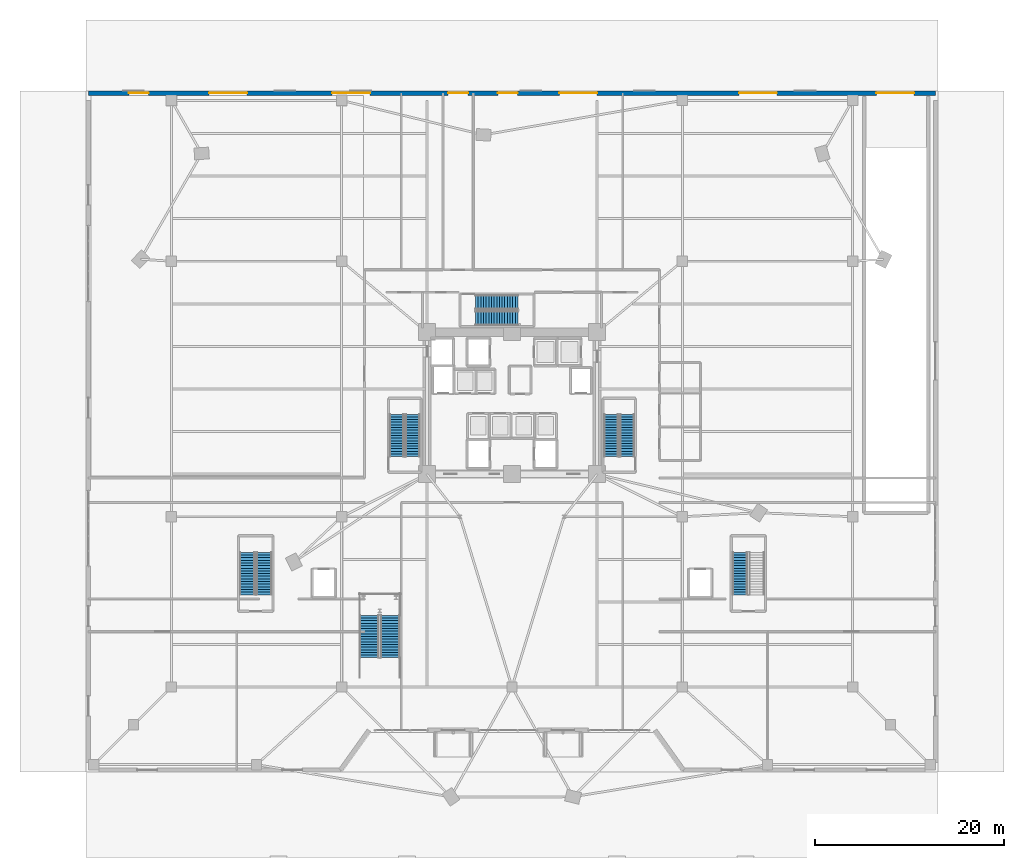
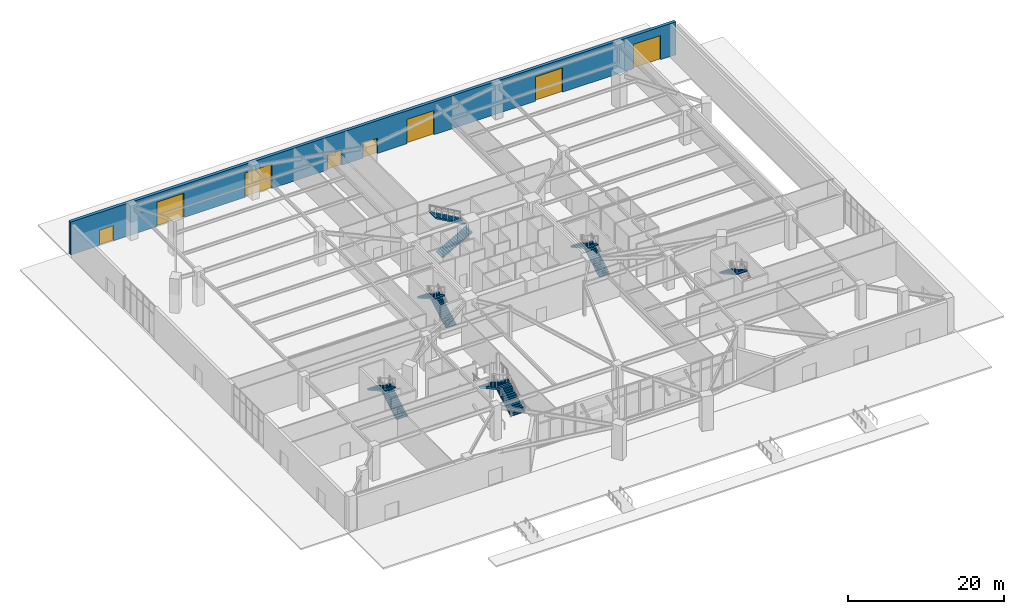
# One storey, part 22 of 30: 11 stair flights, 8 doors, 1 wall, 8 openings, 6 elements without a shape of their own.
"""IFC4 building model written with IfcOpenShell, lengths in metres."""

from ifc_helpers import new_model, si_unit, direction, frame, frame_2d, origin, place, context, subcontext, project, spatial, polyline, rectangle, outline, extrude, source, transform, mapped, material, layer, layer_set, type_object, element, fill, aggregate, save


model = new_model("IFC4")

# Units and contexts
model_context = context("Model", 3, precision=1e-05, world=origin(), true_north=direction((0.0, 1.0)))
body_context = subcontext(model_context, "Body", "Model", "MODEL_VIEW")
ifc_project = project(units=[si_unit("LENGTHUNIT", "METRE"), si_unit("AREAUNIT", "SQUARE_METRE"), si_unit("VOLUMEUNIT", "CUBIC_METRE"), si_unit("PLANEANGLEUNIT", "RADIAN"), si_unit("MASSUNIT", "GRAM", prefix="KILO")], contexts=[model_context])

# Site, building, storey
site_placement = place(None, origin())
site = spatial("IfcSite", under=ifc_project, at=site_placement, CompositionType="ELEMENT")
building_placement = place(site_placement, origin())
building = spatial("IfcBuilding", under=site, at=building_placement, Name="Liaohun Quay Tower", CompositionType="ELEMENT")
storey_placement = place(building_placement, origin())
storey = spatial("IfcBuildingStorey", under=building, at=storey_placement, Name="L01", CompositionType="ELEMENT", Elevation=0.0)

# Wall, openings, doors
ifc_material_1 = material(Name="Precast concrete C50 with granite facing", Category="masonry")
ifc_layer = layer(ifc_material_1, 0.4599609375, Name="Precast concrete C50 with granite facing", Category="masonry")
ifc_layer_set = layer_set([ifc_layer], Name="Precast concrete C50 with granite facing")
wall_type = type_object("IfcWallType", Name="WAL-EXT-POD", PredefinedType="SOLIDWALL", material=ifc_layer_set)
wall_placement = place(storey_placement, frame((104.77001953125, 86.77001953125, 0.0), z_axis=(0.0, 0.0, 1.0), x_axis=(-1.0, 0.0, 0.0)))
wall = element("IfcWall", 1, at=wall_placement, inside=storey, type_object=wall_type, Name="L01 Podium Precast Facade Wall 06", PredefinedType="SOLIDWALL", context=body_context, shape_type="SweptSolid", body=[
    extrude(rectangle(XDim=89.5400390625, YDim=0.4599609375, at=frame_2d((44.77001953125, 0.0))), origin(), (0.0, 0.0, 1.0), 5.14990234375),
])
shared_shape_1 = source(origin(), body_context, "Body", "SweptSolid", [
    extrude(rectangle(XDim=2.10009765625, YDim=2.39990234375, at=frame_2d((1.050048828125, 1.199951171875))), frame((0.0, 0.239990234375, 0.0), z_axis=(0.0, -1.0, 0.0), x_axis=(1.0, 0.0, 0.0)), (0.0, 0.0, 1.0), 0.47998046875),
])
opening_1_placement = place(wall_placement, frame((49.419921875, 0.0, 0.0)))
opening_1 = element("IfcOpeningElement", 2, at=opening_1_placement, cuts=wall, Name="Opening EX", PredefinedType="OPENING", context=body_context, shape_type="MappedRepresentation", body=[
    mapped(shared_shape_1, transform((0.0, 0.0, 0.0), x_axis=(1.0, 0.0, 0.0), y_axis=(0.0, 1.0, 0.0), z_axis=(0.0, 0.0, 1.0), scale=1.0)),
])
opening_2_placement = place(wall_placement, frame((83.169921875, 0.0, 0.0)))
opening_2 = element("IfcOpeningElement", 3, at=opening_2_placement, cuts=wall, Name="Opening EX", PredefinedType="OPENING", context=body_context, shape_type="MappedRepresentation", body=[
    mapped(shared_shape_1, transform((0.0, 0.0, 0.0), x_axis=(1.0, 0.0, 0.0), y_axis=(0.0, 1.0, 0.0), z_axis=(0.0, 0.0, 1.0), scale=1.0)),
])
opening_3_placement = place(wall_placement, frame((44.169921875, 0.0, 0.0)))
opening_3 = element("IfcOpeningElement", 4, at=opening_3_placement, cuts=wall, Name="Opening EX", PredefinedType="OPENING", context=body_context, shape_type="MappedRepresentation", body=[
    mapped(shared_shape_1, transform((0.0, 0.0, 0.0), x_axis=(1.0, 0.0, 0.0), y_axis=(0.0, 1.0, 0.0), z_axis=(0.0, 0.0, 1.0), scale=1.0)),
])
shared_shape_2 = source(origin(), body_context, "Body", "SweptSolid", [
    extrude(rectangle(XDim=4.0, YDim=3.800048828125, at=frame_2d((2.0, 1.89990234375))), frame((0.0, 0.239990234375, 0.0), z_axis=(0.0, -1.0, 0.0), x_axis=(1.0, 0.0, 0.0)), (0.0, 0.0, 1.0), 0.47998046875),
])
opening_4_placement = place(wall_placement, frame((72.77001953125, 0.0, 0.0)))
opening_4 = element("IfcOpeningElement", 5, at=opening_4_placement, cuts=wall, Name="Opening GD1", PredefinedType="OPENING", context=body_context, shape_type="MappedRepresentation", body=[
    mapped(shared_shape_2, transform((0.0, 0.0, 0.0), x_axis=(1.0, 0.0, 0.0), y_axis=(0.0, 1.0, 0.0), z_axis=(0.0, 0.0, 1.0), scale=1.0)),
])
opening_5_placement = place(wall_placement, frame((59.77001953125, 0.0, 0.0)))
opening_5 = element("IfcOpeningElement", 6, at=opening_5_placement, cuts=wall, Name="Opening GD1", PredefinedType="OPENING", context=body_context, shape_type="MappedRepresentation", body=[
    mapped(shared_shape_2, transform((0.0, 0.0, 0.0), x_axis=(1.0, 0.0, 0.0), y_axis=(0.0, 1.0, 0.0), z_axis=(0.0, 0.0, 1.0), scale=1.0)),
])
opening_6_placement = place(wall_placement, frame((35.77001953125, 0.0, 0.0)))
opening_6 = element("IfcOpeningElement", 7, at=opening_6_placement, cuts=wall, Name="Opening GD1", PredefinedType="OPENING", context=body_context, shape_type="MappedRepresentation", body=[
    mapped(shared_shape_2, transform((0.0, 0.0, 0.0), x_axis=(1.0, 0.0, 0.0), y_axis=(0.0, 1.0, 0.0), z_axis=(0.0, 0.0, 1.0), scale=1.0)),
])
opening_7_placement = place(wall_placement, frame((16.77001953125, 0.0, 0.0)))
opening_7 = element("IfcOpeningElement", 8, at=opening_7_placement, cuts=wall, Name="Opening GD1", PredefinedType="OPENING", context=body_context, shape_type="MappedRepresentation", body=[
    mapped(shared_shape_2, transform((0.0, 0.0, 0.0), x_axis=(1.0, 0.0, 0.0), y_axis=(0.0, 1.0, 0.0), z_axis=(0.0, 0.0, 1.0), scale=1.0)),
])
opening_8_placement = place(wall_placement, frame((2.27001953125, 0.0, 0.0)))
opening_8 = element("IfcOpeningElement", 9, at=opening_8_placement, cuts=wall, Name="Opening GD1", PredefinedType="OPENING", context=body_context, shape_type="MappedRepresentation", body=[
    mapped(shared_shape_2, transform((0.0, 0.0, 0.0), x_axis=(1.0, 0.0, 0.0), y_axis=(0.0, 1.0, 0.0), z_axis=(0.0, 0.0, 1.0), scale=1.0)),
])
ifc_material_2 = material(Name="Thermally broken glazed steel", Category="steel")
door_type_1 = type_object("IfcDoorType", Name="DOR-EXIT-2100", OperationType="DOUBLE_DOOR_SINGLE_SWING", PredefinedType="DOOR", material=ifc_material_2)
shared_shape_3 = source(origin(), body_context, "Body", "SweptSolid", [
    extrude(rectangle(XDim=2.10009765625, YDim=2.39990234375, at=frame_2d((1.050048828125, 1.199951171875))), frame((0.0, 0.02490234375, 0.0), z_axis=(0.0, -1.0, 0.0), x_axis=(1.0, 0.0, 0.0)), (0.0, 0.0, 1.0), 0.050048828125),
])
door_1_placement = place(opening_1_placement, frame((2.10009765625, 0.0, 0.0), z_axis=(0.0, 0.0, 1.0), x_axis=(-1.0, 0.0, 0.0)))
door_1 = element("IfcDoor", 10, at=door_1_placement, inside=storey, type_object=door_type_1, Name="L01 North Core Protected Exit Discharge Door", OperationType="DOUBLE_DOOR_SINGLE_SWING", OverallHeight=2.39990234375, OverallWidth=2.10009765625, PredefinedType="DOOR", context=body_context, shape_type="MappedRepresentation", body=[
    mapped(shared_shape_3, transform((0.0, 0.0, 0.0), x_axis=(1.0, 0.0, 0.0), y_axis=(0.0, 1.0, 0.0), z_axis=(0.0, 0.0, 1.0), scale=1.0)),
])
fill(opening_1, door_1)
door_2_placement = place(opening_2_placement, frame((2.10009765625, 0.0, 0.0), z_axis=(0.0, 0.0, 1.0), x_axis=(-1.0, 0.0, 0.0)))
door_2 = element("IfcDoor", 11, at=door_2_placement, inside=storey, type_object=door_type_1, Name="L01 North Promenade Exit Discharge Door 2", OperationType="DOUBLE_DOOR_SINGLE_SWING", OverallHeight=2.39990234375, OverallWidth=2.10009765625, PredefinedType="DOOR", context=body_context, shape_type="MappedRepresentation", body=[
    mapped(shared_shape_3, transform((0.0, 0.0, 0.0), x_axis=(1.0, 0.0, 0.0), y_axis=(0.0, 1.0, 0.0), z_axis=(0.0, 0.0, 1.0), scale=1.0)),
])
fill(opening_2, door_2)
door_3_placement = place(opening_3_placement, frame((2.10009765625, 0.0, 0.0), z_axis=(0.0, 0.0, 1.0), x_axis=(-1.0, 0.0, 0.0)))
door_3 = element("IfcDoor", 12, at=door_3_placement, inside=storey, type_object=door_type_1, Name="L01 North Promenade Exit Discharge Door 3", OperationType="DOUBLE_DOOR_SINGLE_SWING", OverallHeight=2.39990234375, OverallWidth=2.10009765625, PredefinedType="DOOR", context=body_context, shape_type="MappedRepresentation", body=[
    mapped(shared_shape_3, transform((0.0, 0.0, 0.0), x_axis=(1.0, 0.0, 0.0), y_axis=(0.0, 1.0, 0.0), z_axis=(0.0, 0.0, 1.0), scale=1.0)),
])
fill(opening_3, door_3)
ifc_material_3 = material(Name="Insulated motorised steel roller shutter", Category="steel")
door_type_2 = type_object("IfcDoorType", Name="DOR-LDK-4000", OperationType="ROLLINGUP", PredefinedType="GATE", material=ifc_material_3)
shared_shape_4 = source(origin(), body_context, "Body", "SweptSolid", [
    extrude(rectangle(XDim=4.0, YDim=3.800048828125, at=frame_2d((2.0, 1.89990234375))), frame((0.0, 0.02490234375, 0.0), z_axis=(0.0, -1.0, 0.0), x_axis=(1.0, 0.0, 0.0)), (0.0, 0.0, 1.0), 0.050048828125),
])
door_4_placement = place(opening_4_placement, origin())
door_4 = element("IfcDoor", 13, at=door_4_placement, inside=storey, type_object=door_type_2, Name="L01 North Service Bay Roller Shutter Gate 1", OperationType="ROLLINGUP", OverallHeight=3.800048828125, OverallWidth=4.0, PredefinedType="GATE", context=body_context, shape_type="MappedRepresentation", body=[
    mapped(shared_shape_4, transform((0.0, 0.0, 0.0), x_axis=(1.0, 0.0, 0.0), y_axis=(0.0, 1.0, 0.0), z_axis=(0.0, 0.0, 1.0), scale=1.0)),
])
fill(opening_4, door_4)
door_5_placement = place(opening_5_placement, origin())
door_5 = element("IfcDoor", 14, at=door_5_placement, inside=storey, type_object=door_type_2, Name="L01 North Service Bay Roller Shutter Gate 2", OperationType="ROLLINGUP", OverallHeight=3.800048828125, OverallWidth=4.0, PredefinedType="GATE", context=body_context, shape_type="MappedRepresentation", body=[
    mapped(shared_shape_4, transform((0.0, 0.0, 0.0), x_axis=(1.0, 0.0, 0.0), y_axis=(0.0, 1.0, 0.0), z_axis=(0.0, 0.0, 1.0), scale=1.0)),
])
fill(opening_5, door_5)
door_6_placement = place(opening_6_placement, origin())
door_6 = element("IfcDoor", 15, at=door_6_placement, inside=storey, type_object=door_type_2, Name="L01 North Service Bay Roller Shutter Gate 3", OperationType="ROLLINGUP", OverallHeight=3.800048828125, OverallWidth=4.0, PredefinedType="GATE", context=body_context, shape_type="MappedRepresentation", body=[
    mapped(shared_shape_4, transform((0.0, 0.0, 0.0), x_axis=(1.0, 0.0, 0.0), y_axis=(0.0, 1.0, 0.0), z_axis=(0.0, 0.0, 1.0), scale=1.0)),
])
fill(opening_6, door_6)
door_7_placement = place(opening_7_placement, origin())
door_7 = element("IfcDoor", 16, at=door_7_placement, inside=storey, type_object=door_type_2, Name="L01 North Service Bay Roller Shutter Gate 4", OperationType="ROLLINGUP", OverallHeight=3.800048828125, OverallWidth=4.0, PredefinedType="GATE", context=body_context, shape_type="MappedRepresentation", body=[
    mapped(shared_shape_4, transform((0.0, 0.0, 0.0), x_axis=(1.0, 0.0, 0.0), y_axis=(0.0, 1.0, 0.0), z_axis=(0.0, 0.0, 1.0), scale=1.0)),
])
fill(opening_7, door_7)
door_8_placement = place(opening_8_placement, origin())
door_8 = element("IfcDoor", 17, at=door_8_placement, inside=storey, type_object=door_type_2, Name="L01 Car Park Vehicle Ramp Exit Shutter Gate", OperationType="ROLLINGUP", OverallHeight=3.800048828125, OverallWidth=4.0, PredefinedType="GATE", context=body_context, shape_type="MappedRepresentation", body=[
    mapped(shared_shape_4, transform((0.0, 0.0, 0.0), x_axis=(1.0, 0.0, 0.0), y_axis=(0.0, 1.0, 0.0), z_axis=(0.0, 0.0, 1.0), scale=1.0)),
])
fill(opening_8, door_8)

# Stair, stair flights
ifc_material_4 = material(Name="Precast concrete C50", Category="concrete")
stair_type_1 = type_object("IfcStairType", Name="STR-MON-ATR", PredefinedType="STRAIGHT_RUN_STAIR", material=ifc_material_4)
stair_1_placement = place(storey_placement, origin())
stair_1 = element("IfcStair", 18, at=stair_1_placement, inside=storey, type_object=stair_type_1, Name="L01 Monumental Atrium Feature Stair ST-A", PredefinedType="STRAIGHT_RUN_STAIR")
stair_flight_type_1 = type_object("IfcStairFlightType", Name="FLT-ATR-210", PredefinedType="STRAIGHT", material=ifc_material_4)
stair_flight_1_placement = place(storey_placement, frame((47.14990234375, 27.10009765625, 0.0), z_axis=(0.0, 0.0, 1.0), x_axis=(0.0, 1.0, 0.0)))
stair_flight_1 = element("IfcStairFlight", 19, at=stair_flight_1_placement, type_object=stair_flight_type_1, Name="ST-A flight 1", NumberOfRisers=17, NumberOfTreads=16, PredefinedType="STRAIGHT", RiserHeight=0.158823529, TreadLength=0.28, context=body_context, shape_type="SweptSolid", body=[
    extrude(outline(polyline([(0.0, 0.0), (0.0, 0.158935546875), (0.280029296875, 0.158935546875), (0.280029296875, 0.317626953125), (0.56005859375, 0.317626953125), (0.56005859375, 0.4765625), (0.840087890625, 0.4765625), (0.840087890625, 0.63525390625), (1.1201171875, 0.63525390625), (1.1201171875, 0.794189453125), (1.39990234375, 0.794189453125), (1.39990234375, 0.952880859375), (1.679931640625, 0.952880859375), (1.679931640625, 1.11181640625), (1.9599609375, 1.11181640625), (1.9599609375, 1.2705078125), (2.239990234375, 1.2705078125), (2.239990234375, 1.429443359375), (2.52001953125, 1.429443359375), (2.52001953125, 1.588134765625), (2.800048828125, 1.588134765625), (2.800048828125, 1.7470703125), (3.080078125, 1.7470703125), (3.080078125, 1.90576171875), (3.360107421875, 1.90576171875), (3.360107421875, 2.064697265625), (3.639892578125, 2.064697265625), (3.639892578125, 2.2236328125), (3.919921875, 2.2236328125), (3.919921875, 2.38232421875), (4.199951171875, 2.38232421875), (4.199951171875, 2.541259765625), (4.47998046875, 2.541259765625), (4.47998046875, 2.699951171875), (4.47998046875, 2.288330078125), (0.44580078125, 0.0), (0.0, 0.0)])), frame((0.0, 1.050048828125, 0.0), z_axis=(0.0, -1.0, 0.0), x_axis=(1.0, 0.0, 0.0)), (0.0, 0.0, 1.0), 2.10009765625),
])
stair_flight_2_placement = place(storey_placement, frame((44.909912109375, 31.580078125, 2.699951171875), z_axis=(0.0, 0.0, 1.0), x_axis=(0.0, -1.0, 0.0)))
stair_flight_2 = element("IfcStairFlight", 20, at=stair_flight_2_placement, type_object=stair_flight_type_1, Name="ST-A flight 2", NumberOfRisers=17, NumberOfTreads=16, PredefinedType="STRAIGHT", RiserHeight=0.158823529, TreadLength=0.28, context=body_context, shape_type="SweptSolid", body=[
    extrude(outline(polyline([(0.0, 0.0), (0.0, 0.158935546875), (0.280029296875, 0.158935546875), (0.280029296875, 0.317626953125), (0.56005859375, 0.317626953125), (0.56005859375, 0.4765625), (0.840087890625, 0.4765625), (0.840087890625, 0.63525390625), (1.1201171875, 0.63525390625), (1.1201171875, 0.794189453125), (1.39990234375, 0.794189453125), (1.39990234375, 0.952880859375), (1.679931640625, 0.952880859375), (1.679931640625, 1.11181640625), (1.9599609375, 1.11181640625), (1.9599609375, 1.2705078125), (2.239990234375, 1.2705078125), (2.239990234375, 1.429443359375), (2.52001953125, 1.429443359375), (2.52001953125, 1.588134765625), (2.800048828125, 1.588134765625), (2.800048828125, 1.7470703125), (3.080078125, 1.7470703125), (3.080078125, 1.90576171875), (3.360107421875, 1.90576171875), (3.360107421875, 2.064697265625), (3.639892578125, 2.064697265625), (3.639892578125, 2.2236328125), (3.919921875, 2.2236328125), (3.919921875, 2.38232421875), (4.199951171875, 2.38232421875), (4.199951171875, 2.541259765625), (4.47998046875, 2.541259765625), (4.47998046875, 2.699951171875), (4.47998046875, 2.288330078125), (0.44580078125, 0.0), (0.0, 0.0)])), frame((0.0, 1.050048828125, 0.0), z_axis=(0.0, -1.0, 0.0), x_axis=(1.0, 0.0, 0.0)), (0.0, 0.0, 1.0), 2.10009765625),
])
aggregate(stair_1, [stair_flight_1, stair_flight_2])

ifc_material_5 = material(Name="Concrete C45", Category="concrete")
stair_type_2 = type_object("IfcStairType", Name="STR-CORE-CRN", PredefinedType="HALF_TURN_STAIR", material=ifc_material_5)
stair_2_placement = place(storey_placement, origin())
stair_2 = element("IfcStair", 21, at=stair_2_placement, inside=storey, type_object=stair_type_2, Name="L01 Smokeproof Core Exit Stair ST-1", PredefinedType="HALF_TURN_STAIR")
stair_flight_type_2 = type_object("IfcStairFlightType", Name="FLT-CORE-155", PredefinedType="STRAIGHT", material=ifc_material_5)
stair_flight_3_placement = place(storey_placement, frame((49.5048828125, 48.35009765625, 0.0), z_axis=(0.0, 0.0, 1.0), x_axis=(0.0, 1.0, 0.0)))
stair_flight_3 = element("IfcStairFlight", 22, at=stair_flight_3_placement, type_object=stair_flight_type_2, Name="ST-1 flight 1", NumberOfRisers=17, NumberOfTreads=16, PredefinedType="STRAIGHT", RiserHeight=0.158823529, TreadLength=0.28, context=body_context, shape_type="SweptSolid", body=[
    extrude(outline(polyline([(0.0, 0.0), (0.0, 0.158935546875), (0.280029296875, 0.158935546875), (0.280029296875, 0.317626953125), (0.56005859375, 0.317626953125), (0.56005859375, 0.4765625), (0.840087890625, 0.4765625), (0.840087890625, 0.63525390625), (1.1201171875, 0.63525390625), (1.1201171875, 0.794189453125), (1.39990234375, 0.794189453125), (1.39990234375, 0.952880859375), (1.679931640625, 0.952880859375), (1.679931640625, 1.11181640625), (1.9599609375, 1.11181640625), (1.9599609375, 1.2705078125), (2.239990234375, 1.2705078125), (2.239990234375, 1.429443359375), (2.52001953125, 1.429443359375), (2.52001953125, 1.588134765625), (2.800048828125, 1.588134765625), (2.800048828125, 1.7470703125), (3.080078125, 1.7470703125), (3.080078125, 1.90576171875), (3.360107421875, 1.90576171875), (3.360107421875, 2.064697265625), (3.639892578125, 2.064697265625), (3.639892578125, 2.2236328125), (3.919921875, 2.2236328125), (3.919921875, 2.38232421875), (4.199951171875, 2.38232421875), (4.199951171875, 2.541259765625), (4.47998046875, 2.541259765625), (4.47998046875, 2.699951171875), (4.47998046875, 2.368896484375), (0.3037109375, 0.0), (0.0, 0.0)])), frame((0.0, 0.77490234375, 0.0), z_axis=(0.0, -1.0, 0.0), x_axis=(1.0, 0.0, 0.0)), (0.0, 0.0, 1.0), 1.550048828125),
])
stair_flight_4_placement = place(storey_placement, frame((47.81494140625, 52.830078125, 2.699951171875), z_axis=(0.0, 0.0, 1.0), x_axis=(0.0, -1.0, 0.0)))
stair_flight_4 = element("IfcStairFlight", 23, at=stair_flight_4_placement, type_object=stair_flight_type_2, Name="ST-1 flight 2", NumberOfRisers=17, NumberOfTreads=16, PredefinedType="STRAIGHT", RiserHeight=0.158823529, TreadLength=0.28, context=body_context, shape_type="SweptSolid", body=[
    extrude(outline(polyline([(0.0, 0.0), (0.0, 0.158935546875), (0.280029296875, 0.158935546875), (0.280029296875, 0.317626953125), (0.56005859375, 0.317626953125), (0.56005859375, 0.4765625), (0.840087890625, 0.4765625), (0.840087890625, 0.63525390625), (1.1201171875, 0.63525390625), (1.1201171875, 0.794189453125), (1.39990234375, 0.794189453125), (1.39990234375, 0.952880859375), (1.679931640625, 0.952880859375), (1.679931640625, 1.11181640625), (1.9599609375, 1.11181640625), (1.9599609375, 1.2705078125), (2.239990234375, 1.2705078125), (2.239990234375, 1.429443359375), (2.52001953125, 1.429443359375), (2.52001953125, 1.588134765625), (2.800048828125, 1.588134765625), (2.800048828125, 1.7470703125), (3.080078125, 1.7470703125), (3.080078125, 1.90576171875), (3.360107421875, 1.90576171875), (3.360107421875, 2.064697265625), (3.639892578125, 2.064697265625), (3.639892578125, 2.2236328125), (3.919921875, 2.2236328125), (3.919921875, 2.38232421875), (4.199951171875, 2.38232421875), (4.199951171875, 2.541259765625), (4.47998046875, 2.541259765625), (4.47998046875, 2.699951171875), (4.47998046875, 2.368896484375), (0.3037109375, 0.0), (0.0, 0.0)])), frame((0.0, 0.77490234375, 0.0), z_axis=(0.0, -1.0, 0.0), x_axis=(1.0, 0.0, 0.0)), (0.0, 0.0, 1.0), 1.550048828125),
])
aggregate(stair_2, [stair_flight_3, stair_flight_4])

stair_3_placement = place(storey_placement, origin())
stair_3 = element("IfcStair", 24, at=stair_3_placement, inside=storey, type_object=stair_type_2, Name="L01 Smokeproof Core Exit Stair ST-2", PredefinedType="HALF_TURN_STAIR")
stair_flight_5_placement = place(storey_placement, frame((72.18505859375, 48.35009765625, 0.0), z_axis=(0.0, 0.0, 1.0), x_axis=(0.0, 1.0, 0.0)))
stair_flight_5 = element("IfcStairFlight", 25, at=stair_flight_5_placement, type_object=stair_flight_type_2, Name="ST-2 flight 1", NumberOfRisers=17, NumberOfTreads=16, PredefinedType="STRAIGHT", RiserHeight=0.158823529, TreadLength=0.28, context=body_context, shape_type="SweptSolid", body=[
    extrude(outline(polyline([(0.0, 0.0), (0.0, 0.158935546875), (0.280029296875, 0.158935546875), (0.280029296875, 0.317626953125), (0.56005859375, 0.317626953125), (0.56005859375, 0.4765625), (0.840087890625, 0.4765625), (0.840087890625, 0.63525390625), (1.1201171875, 0.63525390625), (1.1201171875, 0.794189453125), (1.39990234375, 0.794189453125), (1.39990234375, 0.952880859375), (1.679931640625, 0.952880859375), (1.679931640625, 1.11181640625), (1.9599609375, 1.11181640625), (1.9599609375, 1.2705078125), (2.239990234375, 1.2705078125), (2.239990234375, 1.429443359375), (2.52001953125, 1.429443359375), (2.52001953125, 1.588134765625), (2.800048828125, 1.588134765625), (2.800048828125, 1.7470703125), (3.080078125, 1.7470703125), (3.080078125, 1.90576171875), (3.360107421875, 1.90576171875), (3.360107421875, 2.064697265625), (3.639892578125, 2.064697265625), (3.639892578125, 2.2236328125), (3.919921875, 2.2236328125), (3.919921875, 2.38232421875), (4.199951171875, 2.38232421875), (4.199951171875, 2.541259765625), (4.47998046875, 2.541259765625), (4.47998046875, 2.699951171875), (4.47998046875, 2.368896484375), (0.3037109375, 0.0), (0.0, 0.0)])), frame((0.0, 0.77490234375, 0.0), z_axis=(0.0, -1.0, 0.0), x_axis=(1.0, 0.0, 0.0)), (0.0, 0.0, 1.0), 1.550048828125),
])
stair_flight_6_placement = place(storey_placement, frame((70.4951171875, 52.830078125, 2.699951171875), z_axis=(0.0, 0.0, 1.0), x_axis=(0.0, -1.0, 0.0)))
stair_flight_6 = element("IfcStairFlight", 26, at=stair_flight_6_placement, type_object=stair_flight_type_2, Name="ST-2 flight 2", NumberOfRisers=17, NumberOfTreads=16, PredefinedType="STRAIGHT", RiserHeight=0.158823529, TreadLength=0.28, context=body_context, shape_type="SweptSolid", body=[
    extrude(outline(polyline([(0.0, 0.0), (0.0, 0.158935546875), (0.280029296875, 0.158935546875), (0.280029296875, 0.317626953125), (0.56005859375, 0.317626953125), (0.56005859375, 0.4765625), (0.840087890625, 0.4765625), (0.840087890625, 0.63525390625), (1.1201171875, 0.63525390625), (1.1201171875, 0.794189453125), (1.39990234375, 0.794189453125), (1.39990234375, 0.952880859375), (1.679931640625, 0.952880859375), (1.679931640625, 1.11181640625), (1.9599609375, 1.11181640625), (1.9599609375, 1.2705078125), (2.239990234375, 1.2705078125), (2.239990234375, 1.429443359375), (2.52001953125, 1.429443359375), (2.52001953125, 1.588134765625), (2.800048828125, 1.588134765625), (2.800048828125, 1.7470703125), (3.080078125, 1.7470703125), (3.080078125, 1.90576171875), (3.360107421875, 1.90576171875), (3.360107421875, 2.064697265625), (3.639892578125, 2.064697265625), (3.639892578125, 2.2236328125), (3.919921875, 2.2236328125), (3.919921875, 2.38232421875), (4.199951171875, 2.38232421875), (4.199951171875, 2.541259765625), (4.47998046875, 2.541259765625), (4.47998046875, 2.699951171875), (4.47998046875, 2.368896484375), (0.3037109375, 0.0), (0.0, 0.0)])), frame((0.0, 0.77490234375, 0.0), z_axis=(0.0, -1.0, 0.0), x_axis=(1.0, 0.0, 0.0)), (0.0, 0.0, 1.0), 1.550048828125),
])
aggregate(stair_3, [stair_flight_5, stair_flight_6])

stair_4_placement = place(storey_placement, origin())
stair_4 = element("IfcStair", 27, at=stair_4_placement, inside=storey, type_object=stair_type_2, Name="L01 Smokeproof Core Exit Stair ST-3", PredefinedType="HALF_TURN_STAIR")
stair_flight_7_placement = place(storey_placement, frame((56.14990234375, 62.97509765625, 0.0), z_axis=(0.0, 0.0, 1.0), x_axis=(1.0, 0.0, 0.0)))
stair_flight_7 = element("IfcStairFlight", 28, at=stair_flight_7_placement, type_object=stair_flight_type_2, Name="ST-3 flight 1", NumberOfRisers=17, NumberOfTreads=16, PredefinedType="STRAIGHT", RiserHeight=0.158823529, TreadLength=0.28, context=body_context, shape_type="SweptSolid", body=[
    extrude(outline(polyline([(0.0, 0.0), (0.0, 0.158935546875), (0.280029296875, 0.158935546875), (0.280029296875, 0.317626953125), (0.56005859375, 0.317626953125), (0.56005859375, 0.4765625), (0.840087890625, 0.4765625), (0.840087890625, 0.63525390625), (1.1201171875, 0.63525390625), (1.1201171875, 0.794189453125), (1.39990234375, 0.794189453125), (1.39990234375, 0.952880859375), (1.679931640625, 0.952880859375), (1.679931640625, 1.11181640625), (1.9599609375, 1.11181640625), (1.9599609375, 1.2705078125), (2.239990234375, 1.2705078125), (2.239990234375, 1.429443359375), (2.52001953125, 1.429443359375), (2.52001953125, 1.588134765625), (2.800048828125, 1.588134765625), (2.800048828125, 1.7470703125), (3.080078125, 1.7470703125), (3.080078125, 1.90576171875), (3.360107421875, 1.90576171875), (3.360107421875, 2.064697265625), (3.639892578125, 2.064697265625), (3.639892578125, 2.2236328125), (3.919921875, 2.2236328125), (3.919921875, 2.38232421875), (4.199951171875, 2.38232421875), (4.199951171875, 2.541259765625), (4.47998046875, 2.541259765625), (4.47998046875, 2.699951171875), (4.47998046875, 2.368896484375), (0.3037109375, 0.0), (0.0, 0.0)])), frame((0.0, 0.77490234375, 0.0), z_axis=(0.0, -1.0, 0.0), x_axis=(1.0, 0.0, 0.0)), (0.0, 0.0, 1.0), 1.550048828125),
])
stair_flight_8_placement = place(storey_placement, frame((60.6298828125, 64.6650390625, 2.699951171875), z_axis=(0.0, 0.0, 1.0), x_axis=(-1.0, 0.0, 0.0)))
stair_flight_8 = element("IfcStairFlight", 29, at=stair_flight_8_placement, type_object=stair_flight_type_2, Name="ST-3 flight 2", NumberOfRisers=17, NumberOfTreads=16, PredefinedType="STRAIGHT", RiserHeight=0.158823529, TreadLength=0.28, context=body_context, shape_type="SweptSolid", body=[
    extrude(outline(polyline([(0.0, 0.0), (0.0, 0.158935546875), (0.280029296875, 0.158935546875), (0.280029296875, 0.317626953125), (0.56005859375, 0.317626953125), (0.56005859375, 0.4765625), (0.840087890625, 0.4765625), (0.840087890625, 0.63525390625), (1.1201171875, 0.63525390625), (1.1201171875, 0.794189453125), (1.39990234375, 0.794189453125), (1.39990234375, 0.952880859375), (1.679931640625, 0.952880859375), (1.679931640625, 1.11181640625), (1.9599609375, 1.11181640625), (1.9599609375, 1.2705078125), (2.239990234375, 1.2705078125), (2.239990234375, 1.429443359375), (2.52001953125, 1.429443359375), (2.52001953125, 1.588134765625), (2.800048828125, 1.588134765625), (2.800048828125, 1.7470703125), (3.080078125, 1.7470703125), (3.080078125, 1.90576171875), (3.360107421875, 1.90576171875), (3.360107421875, 2.064697265625), (3.639892578125, 2.064697265625), (3.639892578125, 2.2236328125), (3.919921875, 2.2236328125), (3.919921875, 2.38232421875), (4.199951171875, 2.38232421875), (4.199951171875, 2.541259765625), (4.47998046875, 2.541259765625), (4.47998046875, 2.699951171875), (4.47998046875, 2.368896484375), (0.3037109375, 0.0), (0.0, 0.0)])), frame((0.0, 0.77490234375, 0.0), z_axis=(0.0, -1.0, 0.0), x_axis=(1.0, 0.0, 0.0)), (0.0, 0.0, 1.0), 1.550048828125),
])
aggregate(stair_4, [stair_flight_7, stair_flight_8])

stair_type_3 = type_object("IfcStairType", Name="STR-POD-EXIT", PredefinedType="TWO_STRAIGHT_RUN_STAIR", material=ifc_material_5)
stair_5_placement = place(storey_placement, origin())
stair_5 = element("IfcStair", 30, at=stair_5_placement, inside=storey, type_object=stair_type_3, Name="L01 Podium Smokeproof Exit Stair ST-P1", PredefinedType="TWO_STRAIGHT_RUN_STAIR")
stair_flight_type_3 = type_object("IfcStairFlightType", Name="FLT-POD-165", PredefinedType="STRAIGHT", material=ifc_material_5)
stair_flight_9_placement = place(storey_placement, frame((33.81494140625, 33.75, 0.0), z_axis=(0.0, 0.0, 1.0), x_axis=(0.0, 1.0, 0.0)))
stair_flight_9 = element("IfcStairFlight", 31, at=stair_flight_9_placement, type_object=stair_flight_type_3, Name="ST-P1 flight 1", NumberOfRisers=17, NumberOfTreads=16, PredefinedType="STRAIGHT", RiserHeight=0.158823529, TreadLength=0.28, context=body_context, shape_type="SweptSolid", body=[
    extrude(outline(polyline([(0.0, 0.0), (0.0, 0.158935546875), (0.280029296875, 0.158935546875), (0.280029296875, 0.317626953125), (0.56005859375, 0.317626953125), (0.56005859375, 0.4765625), (0.840087890625, 0.4765625), (0.840087890625, 0.63525390625), (1.1201171875, 0.63525390625), (1.1201171875, 0.794189453125), (1.39990234375, 0.794189453125), (1.39990234375, 0.952880859375), (1.679931640625, 0.952880859375), (1.679931640625, 1.11181640625), (1.9599609375, 1.11181640625), (1.9599609375, 1.2705078125), (2.239990234375, 1.2705078125), (2.239990234375, 1.429443359375), (2.52001953125, 1.429443359375), (2.52001953125, 1.588134765625), (2.800048828125, 1.588134765625), (2.800048828125, 1.7470703125), (3.080078125, 1.7470703125), (3.080078125, 1.90576171875), (3.360107421875, 1.90576171875), (3.360107421875, 2.064697265625), (3.639892578125, 2.064697265625), (3.639892578125, 2.2236328125), (3.919921875, 2.2236328125), (3.919921875, 2.38232421875), (4.199951171875, 2.38232421875), (4.199951171875, 2.541259765625), (4.47998046875, 2.541259765625), (4.47998046875, 2.699951171875), (4.47998046875, 2.368896484375), (0.3037109375, 0.0), (0.0, 0.0)])), frame((0.0, 0.824951171875, 0.0), z_axis=(0.0, -1.0, 0.0), x_axis=(1.0, 0.0, 0.0)), (0.0, 0.0, 1.0), 1.64990234375),
])
stair_flight_10_placement = place(storey_placement, frame((32.02490234375, 38.22998046875, 2.699951171875), z_axis=(0.0, 0.0, 1.0), x_axis=(0.0, -1.0, 0.0)))
stair_flight_10 = element("IfcStairFlight", 32, at=stair_flight_10_placement, type_object=stair_flight_type_3, Name="ST-P1 flight 2", NumberOfRisers=17, NumberOfTreads=16, PredefinedType="STRAIGHT", RiserHeight=0.158823529, TreadLength=0.28, context=body_context, shape_type="SweptSolid", body=[
    extrude(outline(polyline([(0.0, 0.0), (0.0, 0.158935546875), (0.280029296875, 0.158935546875), (0.280029296875, 0.317626953125), (0.56005859375, 0.317626953125), (0.56005859375, 0.4765625), (0.840087890625, 0.4765625), (0.840087890625, 0.63525390625), (1.1201171875, 0.63525390625), (1.1201171875, 0.794189453125), (1.39990234375, 0.794189453125), (1.39990234375, 0.952880859375), (1.679931640625, 0.952880859375), (1.679931640625, 1.11181640625), (1.9599609375, 1.11181640625), (1.9599609375, 1.2705078125), (2.239990234375, 1.2705078125), (2.239990234375, 1.429443359375), (2.52001953125, 1.429443359375), (2.52001953125, 1.588134765625), (2.800048828125, 1.588134765625), (2.800048828125, 1.7470703125), (3.080078125, 1.7470703125), (3.080078125, 1.90576171875), (3.360107421875, 1.90576171875), (3.360107421875, 2.064697265625), (3.639892578125, 2.064697265625), (3.639892578125, 2.2236328125), (3.919921875, 2.2236328125), (3.919921875, 2.38232421875), (4.199951171875, 2.38232421875), (4.199951171875, 2.541259765625), (4.47998046875, 2.541259765625), (4.47998046875, 2.699951171875), (4.47998046875, 2.368896484375), (0.3037109375, 0.0), (0.0, 0.0)])), frame((0.0, 0.824951171875, 0.0), z_axis=(0.0, -1.0, 0.0), x_axis=(1.0, 0.0, 0.0)), (0.0, 0.0, 1.0), 1.64990234375),
])
aggregate(stair_5, [stair_flight_9, stair_flight_10])

# Stair, stair flight
stair_6_placement = place(storey_placement, origin())
stair_6 = element("IfcStair", 33, at=stair_6_placement, inside=storey, type_object=stair_type_3, Name="L01 Podium Smokeproof Exit Stair ST-P2", PredefinedType="TWO_STRAIGHT_RUN_STAIR")
stair_flight_11_placement = place(storey_placement, frame((84.0849609375, 38.22998046875, 2.699951171875), z_axis=(0.0, 0.0, 1.0), x_axis=(0.0, -1.0, 0.0)))
stair_flight_11 = element("IfcStairFlight", 34, at=stair_flight_11_placement, type_object=stair_flight_type_3, Name="ST-P2 flight 2", NumberOfRisers=17, NumberOfTreads=16, PredefinedType="STRAIGHT", RiserHeight=0.158823529, TreadLength=0.28, context=body_context, shape_type="SweptSolid", body=[
    extrude(outline(polyline([(0.0, 0.0), (0.0, 0.158935546875), (0.280029296875, 0.158935546875), (0.280029296875, 0.317626953125), (0.56005859375, 0.317626953125), (0.56005859375, 0.4765625), (0.840087890625, 0.4765625), (0.840087890625, 0.63525390625), (1.1201171875, 0.63525390625), (1.1201171875, 0.794189453125), (1.39990234375, 0.794189453125), (1.39990234375, 0.952880859375), (1.679931640625, 0.952880859375), (1.679931640625, 1.11181640625), (1.9599609375, 1.11181640625), (1.9599609375, 1.2705078125), (2.239990234375, 1.2705078125), (2.239990234375, 1.429443359375), (2.52001953125, 1.429443359375), (2.52001953125, 1.588134765625), (2.800048828125, 1.588134765625), (2.800048828125, 1.7470703125), (3.080078125, 1.7470703125), (3.080078125, 1.90576171875), (3.360107421875, 1.90576171875), (3.360107421875, 2.064697265625), (3.639892578125, 2.064697265625), (3.639892578125, 2.2236328125), (3.919921875, 2.2236328125), (3.919921875, 2.38232421875), (4.199951171875, 2.38232421875), (4.199951171875, 2.541259765625), (4.47998046875, 2.541259765625), (4.47998046875, 2.699951171875), (4.47998046875, 2.368896484375), (0.3037109375, 0.0), (0.0, 0.0)])), frame((0.0, 0.824951171875, 0.0), z_axis=(0.0, -1.0, 0.0), x_axis=(1.0, 0.0, 0.0)), (0.0, 0.0, 1.0), 1.64990234375),
])
aggregate(stair_6, [stair_flight_11])

save(model, "model.ifc")
